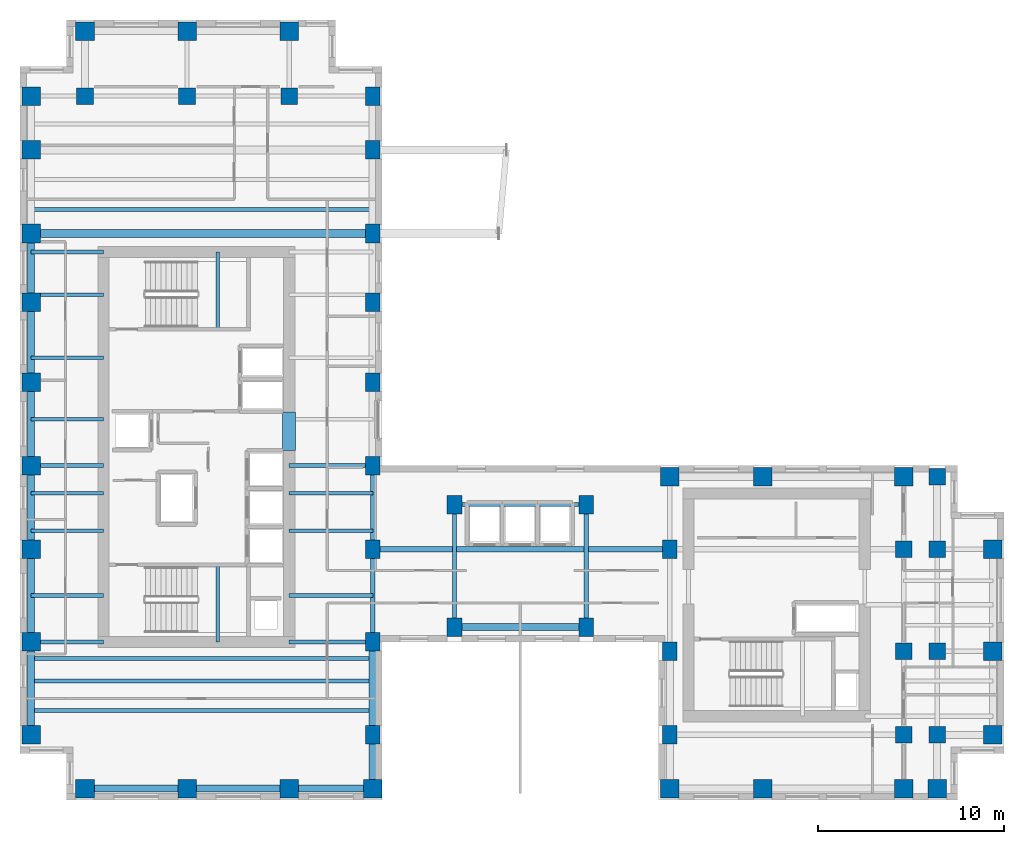
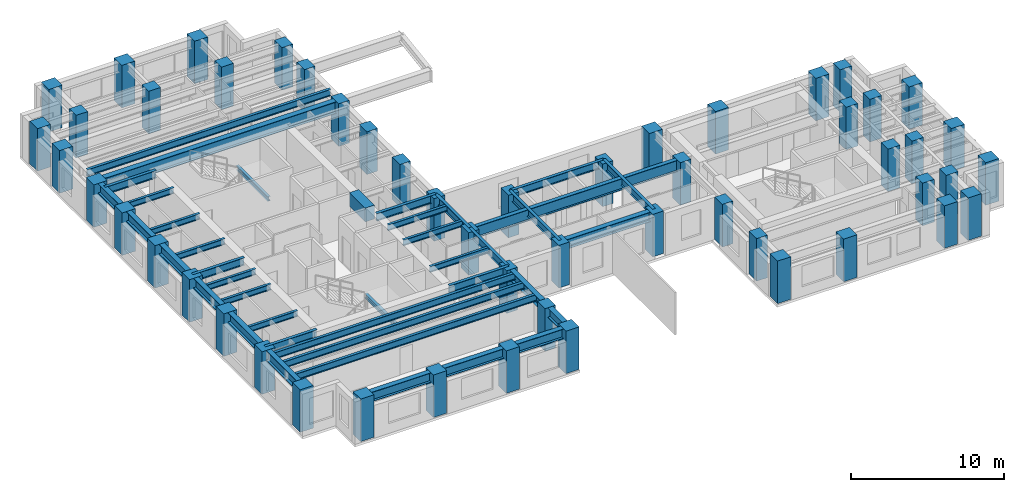
# One storey, part 1 of 13: 52 columns, 40 beams.
"""IFC4 building model written with IfcOpenShell, lengths in metres."""

from ifc_helpers import new_model, si_unit, direction, frame, origin, origin_2d, place, context, subcontext, project, spatial, rectangle, i_section, extrude, source, transform, mapped, material, material_profile, profile_set, type_object, element, save


model = new_model("IFC4")

# Units and contexts
model_context = context("Model", 3, precision=1e-05, world=origin(), true_north=direction((0.0, 1.0)))
body_context = subcontext(model_context, "Body", "Model", "MODEL_VIEW")
ifc_project = project(units=[si_unit("LENGTHUNIT", "METRE"), si_unit("AREAUNIT", "SQUARE_METRE"), si_unit("VOLUMEUNIT", "CUBIC_METRE"), si_unit("PLANEANGLEUNIT", "RADIAN"), si_unit("MASSUNIT", "GRAM", prefix="KILO")], contexts=[model_context])

# Site, building, storey
site_placement = place(None, origin())
site = spatial("IfcSite", under=ifc_project, at=site_placement, CompositionType="ELEMENT")
building_placement = place(site_placement, origin())
building = spatial("IfcBuilding", under=site, at=building_placement, Name="Kharzan Plaza Tower", CompositionType="ELEMENT")
storey_placement = place(building_placement, frame((0.0, 0.0, 197.10009765625)))
storey = spatial("IfcBuildingStorey", under=building, at=storey_placement, Name="L53", CompositionType="ELEMENT", Elevation=197.10009765625)

# Columns
ifc_material_1 = material(Name="Concrete C50/60", Category="concrete")
ifc_material_profile_1 = material_profile(ifc_material_1, rectangle(XDim=0.89990234375, YDim=0.89990234375, at=origin_2d()), Name="RC-IC900x900")
ifc_profile_set_1 = profile_set([ifc_material_profile_1], Name="Concrete C50/60")
column_type_1 = type_object("IfcColumnType", Name="COL-IC900", PredefinedType="COLUMN", material=ifc_profile_set_1)
shared_shape_1 = source(origin(), body_context, "Body", "SweptSolid", [
    extrude(rectangle(XDim=0.89990234375, YDim=0.89990234375, at=origin_2d()), origin(), (0.0, 0.0, 1.0), 3.39990234375),
])
for number, where, z_axis, x_axis, name in (
    (1, (47.60009765625, 13.5, 0.0), (0.0, 0.0, 1.0), (1.0, 0.0, 0.0), "L53 Structural Column TCBI-135"),
    (2, (47.60009765625, 3.5, 0.0), (0.0, 0.0, 1.0), (1.0, 0.0, 0.0), "L53 Structural Column TCBI-35"),
    (3, (47.60009765625, 8.0, 0.0), (0.0, 0.0, 1.0), (1.0, 0.0, 0.0), "L53 Structural Column TCBI-80"),
    (4, (49.39990234375, 13.5, 0.0), (0.0, 0.0, 1.0), (1.0, 0.0, 0.0), "L53 Structural Column TCE-494-135"),
    (5, (49.39990234375, 17.39990234375, 0.0), (0.0, 0.0, 1.0), (1.0, 0.0, 0.0), "L53 Structural Column TCE-494-174"),
    (6, (49.39990234375, 3.5, 0.0), (0.0, 0.0, 1.0), (1.0, 0.0, 0.0), "L53 Structural Column TCE-494-35"),
    (7, (49.39990234375, 8.0, 0.0), (0.0, 0.0, 1.0), (1.0, 0.0, 0.0), "L53 Structural Column TCE-494-80"),
    (8, (14.5, 37.89990234375, 0.0), (0.0, 0.0, 1.0), (1.0, 0.0, 0.0), "L53 Structural Column TCN-145-379"),
    (9, (3.5, 37.89990234375, 0.0), (0.0, 0.0, 1.0), (1.0, 0.0, 0.0), "L53 Structural Column TCN-35-379"),
    (10, (9.0, 37.89990234375, 0.0), (0.0, 0.0, 1.0), (1.0, 0.0, 0.0), "L53 Structural Column TCN-90-379"),
):
    element("IfcColumn", number, at=place(storey_placement, frame(where, z_axis=z_axis, x_axis=x_axis)), inside=storey, type_object=column_type_1, Name=name, PredefinedType="COLUMN", context=body_context, shape_type="MappedRepresentation", body=[
        mapped(shared_shape_1, transform((0.0, 0.0, 0.0), x_axis=(1.0, 0.0, 0.0), y_axis=(0.0, 1.0, 0.0), z_axis=(0.0, 0.0, 1.0))),
    ])
ifc_material_profile_2 = material_profile(ifc_material_1, rectangle(XDim=0.800048828125, YDim=1.0, at=origin_2d()), Name="RC-SC1000x800")
ifc_profile_set_2 = profile_set([ifc_material_profile_2], Name="Concrete C50/60")
column_type_2 = type_object("IfcColumnType", Name="COL-SC1000", PredefinedType="COLUMN", material=ifc_profile_set_2)
shared_shape_2 = source(origin(), body_context, "Body", "SweptSolid", [
    extrude(rectangle(XDim=0.800048828125, YDim=1.0, at=origin_2d()), origin(), (0.0, 0.0, 1.0), 3.39990234375),
])
for number, where, z_axis, x_axis, name in (
    (11, (19.0, 13.5, 0.0), (0.0, 0.0, 1.0), (1.0, 0.0, 0.0), "L53 Structural Column TCA-135"),
    (12, (19.0, 18.0, 0.0), (0.0, 0.0, 1.0), (1.0, 0.0, 0.0), "L53 Structural Column TCA-180"),
    (13, (19.0, 22.5, 0.0), (0.0, 0.0, 1.0), (1.0, 0.0, 0.0), "L53 Structural Column TCA-225"),
    (14, (19.0, 26.800048828125, 0.0), (0.0, 0.0, 1.0), (1.0, 0.0, 0.0), "L53 Structural Column TCA-268"),
    (15, (19.0, 30.5, 0.0), (0.0, 0.0, 1.0), (1.0, 0.0, 0.0), "L53 Structural Column TCA-305"),
    (16, (19.0, 3.5, 0.0), (0.0, 0.0, 1.0), (1.0, 0.0, 0.0), "L53 Structural Column TCA-35"),
    (17, (19.0, 35.0, 0.0), (0.0, 0.0, 1.0), (1.0, 0.0, 0.0), "L53 Structural Column TCA-350"),
    (18, (19.0, 37.89990234375, 0.0), (0.0, 0.0, 1.0), (1.0, 0.0, 0.0), "L53 Structural Column TCA-379"),
    (19, (19.0, 8.5, 0.0), (0.0, 0.0, 1.0), (1.0, 0.0, 0.0), "L53 Structural Column TCA-85"),
    (20, (35.0, 13.5, 0.0), (0.0, 0.0, 1.0), (1.0, 0.0, 0.0), "L53 Structural Column TCBS-135"),
    (21, (35.0, 3.5, 0.0), (0.0, 0.0, 1.0), (1.0, 0.0, 0.0), "L53 Structural Column TCBS-35"),
    (22, (35.0, 8.0, 0.0), (0.0, 0.0, 1.0), (1.0, 0.0, 0.0), "L53 Structural Column TCBS-80"),
    (23, (23.39990234375, 15.89990234375, 0.0), (0.0, 0.0, 1.0), (1.0, 0.0, 0.0), "L53 Structural Column TCSP-234-159"),
    (24, (23.39990234375, 9.300048828125, 0.0), (0.0, 0.0, 1.0), (1.0, 0.0, 0.0), "L53 Structural Column TCSP-234-93"),
    (25, (30.5, 15.89990234375, 0.0), (0.0, 0.0, 1.0), (1.0, 0.0, 0.0), "L53 Structural Column TCSP-305-159"),
    (26, (30.5, 9.300048828125, 0.0), (0.0, 0.0, 1.0), (1.0, 0.0, 0.0), "L53 Structural Column TCSP-305-93"),
):
    element("IfcColumn", number, at=place(storey_placement, frame(where, z_axis=z_axis, x_axis=x_axis)), inside=storey, type_object=column_type_2, Name=name, PredefinedType="COLUMN", context=body_context, shape_type="MappedRepresentation", body=[
        mapped(shared_shape_2, transform((0.0, 0.0, 0.0), x_axis=(1.0, 0.0, 0.0), y_axis=(0.0, 1.0, 0.0), z_axis=(0.0, 0.0, 1.0))),
    ])
ifc_material_profile_3 = material_profile(ifc_material_1, rectangle(XDim=1.0, YDim=1.0, at=origin_2d()), Name="RC-TC1000x1000")
ifc_profile_set_3 = profile_set([ifc_material_profile_3], Name="Concrete C50/60")
column_type_3 = type_object("IfcColumnType", Name="COL-TC1000", PredefinedType="COLUMN", material=ifc_profile_set_3)
shared_shape_3 = source(origin(), body_context, "Body", "SweptSolid", [
    extrude(rectangle(XDim=1.0, YDim=1.0, at=origin_2d()), origin(), (0.0, 0.0, 1.0), 3.39990234375),
])
for number, where, z_axis, x_axis, name in (
    (27, (35.0, 17.39990234375, 0.0), (0.0, 0.0, 1.0), (1.0, 0.0, 0.0), "L53 Structural Column TCBN-350-174"),
    (28, (40.0, 17.39990234375, 0.0), (0.0, 0.0, 1.0), (1.0, 0.0, 0.0), "L53 Structural Column TCBN-400-174"),
    (29, (47.60009765625, 17.39990234375, 0.0), (0.0, 0.0, 1.0), (1.0, 0.0, 0.0), "L53 Structural Column TCBN-476-174"),
    (30, (52.39990234375, 13.5, 0.0), (0.0, 0.0, 1.0), (1.0, 0.0, 0.0), "L53 Structural Column TCE-524-135"),
    (31, (52.39990234375, 3.5, 0.0), (0.0, 0.0, 1.0), (1.0, 0.0, 0.0), "L53 Structural Column TCE-524-35"),
    (32, (52.39990234375, 8.0, 0.0), (0.0, 0.0, 1.0), (1.0, 0.0, 0.0), "L53 Structural Column TCE-524-80"),
    (33, (14.5, 41.39990234375, 0.0), (0.0, 0.0, 1.0), (1.0, 0.0, 0.0), "L53 Structural Column TCN-145-414"),
    (34, (3.5, 41.39990234375, 0.0), (0.0, 0.0, 1.0), (1.0, 0.0, 0.0), "L53 Structural Column TCN-35-414"),
    (35, (9.0, 41.39990234375, 0.0), (0.0, 0.0, 1.0), (1.0, 0.0, 0.0), "L53 Structural Column TCN-90-414"),
    (36, (14.5, 0.60009765625, 0.0), (0.0, 0.0, 1.0), (1.0, 0.0, 0.0), "L53 Structural Column TCS-145"),
    (37, (19.0, 0.60009765625, 0.0), (0.0, 0.0, 1.0), (1.0, 0.0, 0.0), "L53 Structural Column TCS-190"),
    (38, (3.5, 0.60009765625, 0.0), (0.0, 0.0, 1.0), (1.0, 0.0, 0.0), "L53 Structural Column TCS-35"),
    (39, (35.0, 0.60009765625, 0.0), (0.0, 0.0, 1.0), (1.0, 0.0, 0.0), "L53 Structural Column TCS-350"),
    (40, (40.0, 0.60009765625, 0.0), (0.0, 0.0, 1.0), (1.0, 0.0, 0.0), "L53 Structural Column TCS-400"),
    (41, (47.60009765625, 0.60009765625, 0.0), (0.0, 0.0, 1.0), (1.0, 0.0, 0.0), "L53 Structural Column TCS-476"),
    (42, (49.39990234375, 0.60009765625, 0.0), (0.0, 0.0, 1.0), (1.0, 0.0, 0.0), "L53 Structural Column TCS-494"),
    (43, (9.0, 0.60009765625, 0.0), (0.0, 0.0, 1.0), (1.0, 0.0, 0.0), "L53 Structural Column TCS-90"),
    (44, (0.60009765625, 13.5, 0.0), (0.0, 0.0, 1.0), (1.0, 0.0, 0.0), "L53 Structural Column TCW-135"),
    (45, (0.60009765625, 18.0, 0.0), (0.0, 0.0, 1.0), (1.0, 0.0, 0.0), "L53 Structural Column TCW-180"),
    (46, (0.60009765625, 22.5, 0.0), (0.0, 0.0, 1.0), (1.0, 0.0, 0.0), "L53 Structural Column TCW-225"),
    (47, (0.60009765625, 26.800048828125, 0.0), (0.0, 0.0, 1.0), (1.0, 0.0, 0.0), "L53 Structural Column TCW-268"),
    (48, (0.60009765625, 30.5, 0.0), (0.0, 0.0, 1.0), (1.0, 0.0, 0.0), "L53 Structural Column TCW-305"),
    (49, (0.60009765625, 3.5, 0.0), (0.0, 0.0, 1.0), (1.0, 0.0, 0.0), "L53 Structural Column TCW-35"),
    (50, (0.60009765625, 35.0, 0.0), (0.0, 0.0, 1.0), (1.0, 0.0, 0.0), "L53 Structural Column TCW-350"),
    (51, (0.60009765625, 37.89990234375, 0.0), (0.0, 0.0, 1.0), (1.0, 0.0, 0.0), "L53 Structural Column TCW-379"),
    (52, (0.60009765625, 8.5, 0.0), (0.0, 0.0, 1.0), (1.0, 0.0, 0.0), "L53 Structural Column TCW-85"),
):
    element("IfcColumn", number, at=place(storey_placement, frame(where, z_axis=z_axis, x_axis=x_axis)), inside=storey, type_object=column_type_3, Name=name, PredefinedType="COLUMN", context=body_context, shape_type="MappedRepresentation", body=[
        mapped(shared_shape_3, transform((0.0, 0.0, 0.0), x_axis=(1.0, 0.0, 0.0), y_axis=(0.0, 1.0, 0.0), z_axis=(0.0, 0.0, 1.0))),
    ])

# Beams
ifc_material_2 = material(Name="Concrete C60/75", Category="concrete")
ifc_material_profile_4 = material_profile(ifc_material_2, rectangle(XDim=0.699951171875, YDim=1.10009765625, at=origin_2d()), Name="RC-CB1100x700")
ifc_profile_set_4 = profile_set([ifc_material_profile_4], Name="Concrete C60/75")
beam_type_1 = type_object("IfcBeamType", Name="BM-RCCB1100", PredefinedType="LINTEL", material=ifc_profile_set_4)
shared_shape_4 = source(origin(), body_context, "Body", "SweptSolid", [
    extrude(rectangle(XDim=0.699951171875, YDim=1.10009765625, at=origin_2d()), origin(), (0.0, 0.0, 1.0), 2.059814453125),
])
beam_1_placement = place(storey_placement, frame((14.5, 18.820068359375, 2.849853515625), z_axis=(0.0, 1.0, 0.0), x_axis=(-1.0, 0.0, 0.0)))
element("IfcBeam", 53, at=beam_1_placement, inside=storey, type_object=beam_type_1, Name="L53 CORE-A RC coupling beam CB1", PredefinedType="LINTEL", context=body_context, shape_type="MappedRepresentation", body=[
    mapped(shared_shape_4, transform((0.0, 0.0, 0.0), x_axis=(1.0, 0.0, 0.0), y_axis=(0.0, 1.0, 0.0), z_axis=(0.0, 0.0, 1.0))),
])
ifc_material_3 = material(Name="Steel S355", Category="steel")
ifc_material_profile_5 = material_profile(ifc_material_3, i_section(OverallWidth=0.205078125, OverallDepth=0.35400390625, WebThickness=0.009521484375, FlangeThickness=0.016845703125, at=origin_2d()), Name="W360x79")
ifc_profile_set_5 = profile_set([ifc_material_profile_5], Name="Steel S355")
beam_type_2 = type_object("IfcBeamType", Name="BM-LNT360", PredefinedType="LINTEL", material=ifc_profile_set_5)
shared_shape_5 = source(origin(), body_context, "Body", "SweptSolid", [
    extrude(i_section(OverallWidth=0.205078125, OverallDepth=0.35400390625, WebThickness=0.009521484375, FlangeThickness=0.016845703125, at=origin_2d()), origin(), (0.0, 0.0, 1.0), 4.155029296875),
])
for number, where, z_axis, x_axis, name in (
    (54, (10.64990234375, 8.5, 1.4228515625), (0.0, 1.0, 0.0), (-1.0, 0.0, 0.0), "L53 Stair ST-1 Half-Landing Beam"),
    (55, (10.64990234375, 25.344970703125, 1.4228515625), (0.0, 1.0, 0.0), (-1.0, 0.0, 0.0), "L53 Stair ST-2 Half-Landing Beam"),
):
    element("IfcBeam", number, at=place(storey_placement, frame(where, z_axis=z_axis, x_axis=x_axis)), inside=storey, type_object=beam_type_2, Name=name, PredefinedType="LINTEL", context=body_context, shape_type="MappedRepresentation", body=[
        mapped(shared_shape_5, transform((0.0, 0.0, 0.0), x_axis=(1.0, 0.0, 0.0), y_axis=(0.0, 1.0, 0.0), z_axis=(0.0, 0.0, 1.0))),
    ])
ifc_material_profile_6 = material_profile(ifc_material_3, i_section(OverallWidth=0.304931640625, OverallDepth=0.9189453125, WebThickness=0.017333984375, FlangeThickness=0.02783203125, at=origin_2d()), Name="W920x253")
ifc_profile_set_6 = profile_set([ifc_material_profile_6], Name="Steel S355")
beam_type_3 = type_object("IfcBeamType", Name="BM-FG920B", PredefinedType="BEAM", material=ifc_profile_set_6)
shared_shape_6 = source(origin(), body_context, "Body", "SweptSolid", [
    extrude(i_section(OverallWidth=0.304931640625, OverallDepth=0.9189453125, WebThickness=0.017333984375, FlangeThickness=0.02783203125, at=origin_2d()), origin(), (0.0, 0.0, 1.0), 16.0),
])
beam_2_placement = place(storey_placement, frame((19.0, 13.5, 2.9404296875), z_axis=(1.0, 0.0, 0.0), x_axis=(0.0, 1.0, 0.0)))
element("IfcBeam", 56, at=beam_2_placement, inside=storey, type_object=beam_type_3, Name="L53 Primary Floor Girder", PredefinedType="BEAM", context=body_context, shape_type="MappedRepresentation", body=[
    mapped(shared_shape_6, transform((0.0, 0.0, 0.0), x_axis=(1.0, 0.0, 0.0), y_axis=(0.0, 1.0, 0.0), z_axis=(0.0, 0.0, 1.0))),
])
ifc_material_profile_7 = material_profile(ifc_material_3, i_section(OverallWidth=0.2099609375, OverallDepth=0.537109375, WebThickness=0.010986328125, FlangeThickness=0.017333984375, at=origin_2d()), Name="W530x101")
ifc_profile_set_7 = profile_set([ifc_material_profile_7], Name="Steel S355")
beam_type_4 = type_object("IfcBeamType", Name="BM-JST530B", PredefinedType="JOIST", material=ifc_profile_set_7)
shared_shape_7 = source(origin(), body_context, "Body", "SweptSolid", [
    extrude(i_section(OverallWidth=0.2099609375, OverallDepth=0.537109375, WebThickness=0.010986328125, FlangeThickness=0.017333984375, at=origin_2d()), origin(), (0.0, 0.0, 1.0), 18.39990234375),
])
for number, where, z_axis, x_axis, name in (
    (57, (0.60009765625, 4.800048828125, 3.13134765625), (1.0, 0.0, 0.0), (0.0, 1.0, 0.0), "L53 Wing A Composite Joist 01"),
    (58, (0.60009765625, 6.39990234375, 3.13134765625), (1.0, 0.0, 0.0), (0.0, 1.0, 0.0), "L53 Wing A Composite Joist 02"),
    (59, (0.60009765625, 7.60009765625, 3.13134765625), (1.0, 0.0, 0.0), (0.0, 1.0, 0.0), "L53 Wing A Composite Joist 03"),
    (60, (0.60009765625, 31.800048828125, 3.13134765625), (1.0, 0.0, 0.0), (0.0, 1.0, 0.0), "L53 Wing A Composite Joist 04"),
):
    element("IfcBeam", number, at=place(storey_placement, frame(where, z_axis=z_axis, x_axis=x_axis)), inside=storey, type_object=beam_type_4, Name=name, PredefinedType="JOIST", context=body_context, shape_type="MappedRepresentation", body=[
        mapped(shared_shape_7, transform((0.0, 0.0, 0.0), x_axis=(1.0, 0.0, 0.0), y_axis=(0.0, 1.0, 0.0), z_axis=(0.0, 0.0, 1.0))),
    ])
ifc_material_profile_8 = material_profile(ifc_material_3, i_section(OverallWidth=0.194091796875, OverallDepth=0.468994140625, WebThickness=0.011474609375, FlangeThickness=0.0205078125, at=origin_2d()), Name="W460x106")
ifc_profile_set_8 = profile_set([ifc_material_profile_8], Name="Steel S355")
beam_type_5 = type_object("IfcBeamType", Name="BM-JST460", PredefinedType="JOIST", material=ifc_profile_set_8)
shared_shape_8 = source(origin(), body_context, "Body", "SweptSolid", [
    extrude(i_section(OverallWidth=0.194091796875, OverallDepth=0.468994140625, WebThickness=0.011474609375, FlangeThickness=0.0205078125, at=origin_2d()), origin(), (0.0, 0.0, 1.0), 4.5),
])
for number, where, z_axis, x_axis, name in (
    (61, (14.5, 11.0, 3.165283203125), (1.0, 0.0, 0.0), (0.0, 1.0, 0.0), "L53 Wing A East Infill Joist 1"),
    (62, (14.5, 14.5, 3.165283203125), (1.0, 0.0, 0.0), (0.0, 1.0, 0.0), "L53 Wing A East Infill Joist 2"),
    (63, (14.5, 16.5, 3.165283203125), (1.0, 0.0, 0.0), (0.0, 1.0, 0.0), "L53 Wing A East Infill Joist 3"),
):
    element("IfcBeam", number, at=place(storey_placement, frame(where, z_axis=z_axis, x_axis=x_axis)), inside=storey, type_object=beam_type_5, Name=name, PredefinedType="JOIST", context=body_context, shape_type="MappedRepresentation", body=[
        mapped(shared_shape_8, transform((0.0, 0.0, 0.0), x_axis=(1.0, 0.0, 0.0), y_axis=(0.0, 1.0, 0.0), z_axis=(0.0, 0.0, 1.0))),
    ])
shared_shape_9 = source(origin(), body_context, "Body", "SweptSolid", [
    extrude(i_section(OverallWidth=0.194091796875, OverallDepth=0.468994140625, WebThickness=0.011474609375, FlangeThickness=0.0205078125, at=origin_2d()), origin(), (0.0, 0.0, 1.0), 3.89990234375),
])
for number, where, z_axis, x_axis, name in (
    (64, (0.60009765625, 11.0, 3.165283203125), (1.0, 0.0, 0.0), (0.0, 1.0, 0.0), "L53 Wing A West Infill Joist 1"),
    (65, (0.60009765625, 14.5, 3.165283203125), (1.0, 0.0, 0.0), (0.0, 1.0, 0.0), "L53 Wing A West Infill Joist 2"),
    (66, (0.60009765625, 16.5, 3.165283203125), (1.0, 0.0, 0.0), (0.0, 1.0, 0.0), "L53 Wing A West Infill Joist 3"),
    (67, (0.60009765625, 20.5, 3.165283203125), (1.0, 0.0, 0.0), (0.0, 1.0, 0.0), "L53 Wing A West Infill Joist 4"),
    (68, (0.60009765625, 23.800048828125, 3.165283203125), (1.0, 0.0, 0.0), (0.0, 1.0, 0.0), "L53 Wing A West Infill Joist 5"),
    (69, (0.60009765625, 27.199951171875, 3.165283203125), (1.0, 0.0, 0.0), (0.0, 1.0, 0.0), "L53 Wing A West Infill Joist 6"),
):
    element("IfcBeam", number, at=place(storey_placement, frame(where, z_axis=z_axis, x_axis=x_axis)), inside=storey, type_object=beam_type_5, Name=name, PredefinedType="JOIST", context=body_context, shape_type="MappedRepresentation", body=[
        mapped(shared_shape_9, transform((0.0, 0.0, 0.0), x_axis=(1.0, 0.0, 0.0), y_axis=(0.0, 1.0, 0.0), z_axis=(0.0, 0.0, 1.0))),
    ])
ifc_material_profile_9 = material_profile(ifc_material_3, i_section(OverallWidth=0.41796875, OverallDepth=0.93701171875, WebThickness=0.019287109375, FlangeThickness=0.031982421875, at=origin_2d()), Name="W920x342")
ifc_profile_set_9 = profile_set([ifc_material_profile_9], Name="Steel S355")
beam_type_6 = type_object("IfcBeamType", Name="BM-ZTB920", PredefinedType="BEAM", material=ifc_profile_set_9)
shared_shape_10 = source(origin(), body_context, "Body", "SweptSolid", [
    extrude(i_section(OverallWidth=0.41796875, OverallDepth=0.93701171875, WebThickness=0.019287109375, FlangeThickness=0.031982421875, at=origin_2d()), origin(), (0.0, 0.0, 1.0), 18.39990234375),
])
beam_3_placement = place(storey_placement, frame((0.60009765625, 30.5, 2.931396484375), z_axis=(1.0, 0.0, 0.0), x_axis=(0.0, 1.0, 0.0)))
element("IfcBeam", 70, at=beam_3_placement, inside=storey, type_object=beam_type_6, Name="L53 Sky-Terrace Back-Span Girder ZTB1 (L54 G1)", PredefinedType="BEAM", context=body_context, shape_type="MappedRepresentation", body=[
    mapped(shared_shape_10, transform((0.0, 0.0, 0.0), x_axis=(1.0, 0.0, 0.0), y_axis=(0.0, 1.0, 0.0), z_axis=(0.0, 0.0, 1.0))),
])
ifc_material_profile_10 = material_profile(ifc_material_3, i_section(OverallWidth=0.22900390625, OverallDepth=0.612060546875, WebThickness=0.011962890625, FlangeThickness=0.01953125, at=origin_2d()), Name="W610x125")
ifc_profile_set_10 = profile_set([ifc_material_profile_10], Name="Steel S355")
beam_type_7 = type_object("IfcBeamType", Name="BM-FG610B", PredefinedType="BEAM", material=ifc_profile_set_10)
shared_shape_11 = source(origin(), body_context, "Body", "SweptSolid", [
    extrude(i_section(OverallWidth=0.22900390625, OverallDepth=0.612060546875, WebThickness=0.011962890625, FlangeThickness=0.01953125, at=origin_2d()), origin(), (0.0, 0.0, 1.0), 4.5),
])
for number, where, z_axis, x_axis, name in (
    (71, (14.5, 8.5, 3.093994140625), (1.0, 0.0, 0.0), (0.0, 1.0, 0.0), "L53 Core-A East Floor Girder 1"),
    (72, (14.5, 18.0, 3.093994140625), (1.0, 0.0, 0.0), (0.0, 1.0, 0.0), "L53 Core-A East Floor Girder 2"),
    (73, (19.0, 13.5, 3.093994140625), (0.0, 1.0, 0.0), (-1.0, 0.0, 0.0), "L53 Interior Frame Girder"),
):
    element("IfcBeam", number, at=place(storey_placement, frame(where, z_axis=z_axis, x_axis=x_axis)), inside=storey, type_object=beam_type_7, Name=name, PredefinedType="BEAM", context=body_context, shape_type="MappedRepresentation", body=[
        mapped(shared_shape_11, transform((0.0, 0.0, 0.0), x_axis=(1.0, 0.0, 0.0), y_axis=(0.0, 1.0, 0.0), z_axis=(0.0, 0.0, 1.0))),
    ])
shared_shape_12 = source(origin(), body_context, "Body", "SweptSolid", [
    extrude(i_section(OverallWidth=0.22900390625, OverallDepth=0.612060546875, WebThickness=0.011962890625, FlangeThickness=0.01953125, at=origin_2d()), origin(), (0.0, 0.0, 1.0), 3.89990234375),
])
for number, where, z_axis, x_axis, name in (
    (74, (0.60009765625, 8.5, 3.093994140625), (1.0, 0.0, 0.0), (0.0, 1.0, 0.0), "L53 Core-A West Floor Girder 1"),
    (75, (0.60009765625, 18.0, 3.093994140625), (1.0, 0.0, 0.0), (0.0, 1.0, 0.0), "L53 Core-A West Floor Girder 2"),
    (76, (0.60009765625, 29.5, 3.093994140625), (1.0, 0.0, 0.0), (0.0, 1.0, 0.0), "L53 Core-A West Floor Girder 3"),
):
    element("IfcBeam", number, at=place(storey_placement, frame(where, z_axis=z_axis, x_axis=x_axis)), inside=storey, type_object=beam_type_7, Name=name, PredefinedType="BEAM", context=body_context, shape_type="MappedRepresentation", body=[
        mapped(shared_shape_12, transform((0.0, 0.0, 0.0), x_axis=(1.0, 0.0, 0.0), y_axis=(0.0, 1.0, 0.0), z_axis=(0.0, 0.0, 1.0))),
    ])
shared_shape_13 = source(origin(), body_context, "Body", "SweptSolid", [
    extrude(i_section(OverallWidth=0.22900390625, OverallDepth=0.612060546875, WebThickness=0.011962890625, FlangeThickness=0.01953125, at=origin_2d()), origin(), (0.0, 0.0, 1.0), 5.0),
])
beam_4_placement = place(storey_placement, frame((19.0, 8.5, 3.093994140625), z_axis=(0.0, 1.0, 0.0), x_axis=(-1.0, 0.0, 0.0)))
element("IfcBeam", 77, at=beam_4_placement, inside=storey, type_object=beam_type_7, Name="L53 Interior Frame Girder", PredefinedType="BEAM", context=body_context, shape_type="MappedRepresentation", body=[
    mapped(shared_shape_13, transform((0.0, 0.0, 0.0), x_axis=(1.0, 0.0, 0.0), y_axis=(0.0, 1.0, 0.0), z_axis=(0.0, 0.0, 1.0))),
])
shared_shape_14 = source(origin(), body_context, "Body", "SweptSolid", [
    extrude(i_section(OverallWidth=0.22900390625, OverallDepth=0.612060546875, WebThickness=0.011962890625, FlangeThickness=0.01953125, at=origin_2d()), origin(), (0.0, 0.0, 1.0), 6.599853515625),
])
for number, where, z_axis, x_axis, name in (
    (78, (23.39990234375, 9.300048828125, 3.093994140625), (0.0, 1.0, 0.0), (-1.0, 0.0, 0.0), "L53 Interior Frame Girder"),
    (79, (30.5, 9.300048828125, 3.093994140625), (0.0, 1.0, 0.0), (-1.0, 0.0, 0.0), "L53 Interior Frame Girder"),
):
    element("IfcBeam", number, at=place(storey_placement, frame(where, z_axis=z_axis, x_axis=x_axis)), inside=storey, type_object=beam_type_7, Name=name, PredefinedType="BEAM", context=body_context, shape_type="MappedRepresentation", body=[
        mapped(shared_shape_14, transform((0.0, 0.0, 0.0), x_axis=(1.0, 0.0, 0.0), y_axis=(0.0, 1.0, 0.0), z_axis=(0.0, 0.0, 1.0))),
    ])
shared_shape_15 = source(origin(), body_context, "Body", "SweptSolid", [
    extrude(i_section(OverallWidth=0.22900390625, OverallDepth=0.612060546875, WebThickness=0.011962890625, FlangeThickness=0.01953125, at=origin_2d()), origin(), (0.0, 0.0, 1.0), 7.10009765625),
])
beam_5_placement = place(storey_placement, frame((23.39990234375, 15.89990234375, 3.093994140625), z_axis=(1.0, 0.0, 0.0), x_axis=(0.0, 1.0, 0.0)))
element("IfcBeam", 80, at=beam_5_placement, inside=storey, type_object=beam_type_7, Name="L53 Primary Floor Girder", PredefinedType="BEAM", context=body_context, shape_type="MappedRepresentation", body=[
    mapped(shared_shape_15, transform((0.0, 0.0, 0.0), x_axis=(1.0, 0.0, 0.0), y_axis=(0.0, 1.0, 0.0), z_axis=(0.0, 0.0, 1.0))),
])
ifc_material_profile_11 = material_profile(ifc_material_3, i_section(OverallWidth=0.381103515625, OverallDepth=0.77294921875, WebThickness=0.0166015625, FlangeThickness=0.027587890625, at=origin_2d()), Name="W760x257")
ifc_profile_set_11 = profile_set([ifc_material_profile_11], Name="Steel S355")
beam_type_8 = type_object("IfcBeamType", Name="BM-SP760A", PredefinedType="SPANDREL", material=ifc_profile_set_11)
shared_shape_16 = source(origin(), body_context, "Body", "SweptSolid", [
    extrude(i_section(OverallWidth=0.381103515625, OverallDepth=0.77294921875, WebThickness=0.0166015625, FlangeThickness=0.027587890625, at=origin_2d()), origin(), (0.0, 0.0, 1.0), 5.0),
])
for number, where, z_axis, x_axis, name in (
    (81, (0.60009765625, 3.5, 3.013427734375), (0.0, 1.0, 0.0), (-1.0, 0.0, 0.0), "L53 Perimeter Tube Spandrel"),
    (82, (0.60009765625, 8.5, 3.013427734375), (0.0, 1.0, 0.0), (-1.0, 0.0, 0.0), "L53 Perimeter Tube Spandrel"),
    (83, (19.0, 3.5, 3.013427734375), (0.0, 1.0, 0.0), (-1.0, 0.0, 0.0), "L53 Perimeter Tube Spandrel"),
):
    element("IfcBeam", number, at=place(storey_placement, frame(where, z_axis=z_axis, x_axis=x_axis)), inside=storey, type_object=beam_type_8, Name=name, PredefinedType="SPANDREL", context=body_context, shape_type="MappedRepresentation", body=[
        mapped(shared_shape_16, transform((0.0, 0.0, 0.0), x_axis=(1.0, 0.0, 0.0), y_axis=(0.0, 1.0, 0.0), z_axis=(0.0, 0.0, 1.0))),
    ])
shared_shape_17 = source(origin(), body_context, "Body", "SweptSolid", [
    extrude(i_section(OverallWidth=0.381103515625, OverallDepth=0.77294921875, WebThickness=0.0166015625, FlangeThickness=0.027587890625, at=origin_2d()), origin(), (0.0, 0.0, 1.0), 4.5),
])
for number, where, z_axis, x_axis, name in (
    (84, (0.60009765625, 13.5, 3.013427734375), (0.0, 1.0, 0.0), (-1.0, 0.0, 0.0), "L53 Perimeter Tube Spandrel"),
    (85, (0.60009765625, 18.0, 3.013427734375), (0.0, 1.0, 0.0), (-1.0, 0.0, 0.0), "L53 Perimeter Tube Spandrel"),
    (86, (14.5, 0.60009765625, 3.013427734375), (1.0, 0.0, 0.0), (0.0, 1.0, 0.0), "L53 Perimeter Tube Spandrel"),
):
    element("IfcBeam", number, at=place(storey_placement, frame(where, z_axis=z_axis, x_axis=x_axis)), inside=storey, type_object=beam_type_8, Name=name, PredefinedType="SPANDREL", context=body_context, shape_type="MappedRepresentation", body=[
        mapped(shared_shape_17, transform((0.0, 0.0, 0.0), x_axis=(1.0, 0.0, 0.0), y_axis=(0.0, 1.0, 0.0), z_axis=(0.0, 0.0, 1.0))),
    ])
shared_shape_18 = source(origin(), body_context, "Body", "SweptSolid", [
    extrude(i_section(OverallWidth=0.381103515625, OverallDepth=0.77294921875, WebThickness=0.0166015625, FlangeThickness=0.027587890625, at=origin_2d()), origin(), (0.0, 0.0, 1.0), 4.300048828125),
])
beam_6_placement = place(storey_placement, frame((0.60009765625, 22.5, 3.013427734375), z_axis=(0.0, 1.0, 0.0), x_axis=(-1.0, 0.0, 0.0)))
element("IfcBeam", 87, at=beam_6_placement, inside=storey, type_object=beam_type_8, Name="L53 Perimeter Tube Spandrel", PredefinedType="SPANDREL", context=body_context, shape_type="MappedRepresentation", body=[
    mapped(shared_shape_18, transform((0.0, 0.0, 0.0), x_axis=(1.0, 0.0, 0.0), y_axis=(0.0, 1.0, 0.0), z_axis=(0.0, 0.0, 1.0))),
])
shared_shape_19 = source(origin(), body_context, "Body", "SweptSolid", [
    extrude(i_section(OverallWidth=0.381103515625, OverallDepth=0.77294921875, WebThickness=0.0166015625, FlangeThickness=0.027587890625, at=origin_2d()), origin(), (0.0, 0.0, 1.0), 3.699951171875),
])
beam_7_placement = place(storey_placement, frame((0.60009765625, 26.800048828125, 3.013427734375), z_axis=(0.0, 1.0, 0.0), x_axis=(-1.0, 0.0, 0.0)))
element("IfcBeam", 88, at=beam_7_placement, inside=storey, type_object=beam_type_8, Name="L53 Perimeter Tube Spandrel", PredefinedType="SPANDREL", context=body_context, shape_type="MappedRepresentation", body=[
    mapped(shared_shape_19, transform((0.0, 0.0, 0.0), x_axis=(1.0, 0.0, 0.0), y_axis=(0.0, 1.0, 0.0), z_axis=(0.0, 0.0, 1.0))),
])
shared_shape_20 = source(origin(), body_context, "Body", "SweptSolid", [
    extrude(i_section(OverallWidth=0.381103515625, OverallDepth=0.77294921875, WebThickness=0.0166015625, FlangeThickness=0.027587890625, at=origin_2d()), origin(), (0.0, 0.0, 1.0), 2.89990234375),
])
beam_8_placement = place(storey_placement, frame((19.0, 0.60009765625, 3.013427734375), z_axis=(0.0, 1.0, 0.0), x_axis=(-1.0, 0.0, 0.0)))
element("IfcBeam", 89, at=beam_8_placement, inside=storey, type_object=beam_type_8, Name="L53 Perimeter Tube Spandrel", PredefinedType="SPANDREL", context=body_context, shape_type="MappedRepresentation", body=[
    mapped(shared_shape_20, transform((0.0, 0.0, 0.0), x_axis=(1.0, 0.0, 0.0), y_axis=(0.0, 1.0, 0.0), z_axis=(0.0, 0.0, 1.0))),
])
shared_shape_21 = source(origin(), body_context, "Body", "SweptSolid", [
    extrude(i_section(OverallWidth=0.381103515625, OverallDepth=0.77294921875, WebThickness=0.0166015625, FlangeThickness=0.027587890625, at=origin_2d()), origin(), (0.0, 0.0, 1.0), 5.5),
])
for number, where, z_axis, x_axis, name in (
    (90, (3.5, 0.60009765625, 3.013427734375), (1.0, 0.0, 0.0), (0.0, 1.0, 0.0), "L53 Perimeter Tube Spandrel"),
    (91, (9.0, 0.60009765625, 3.013427734375), (1.0, 0.0, 0.0), (0.0, 1.0, 0.0), "L53 Perimeter Tube Spandrel"),
):
    element("IfcBeam", number, at=place(storey_placement, frame(where, z_axis=z_axis, x_axis=x_axis)), inside=storey, type_object=beam_type_8, Name=name, PredefinedType="SPANDREL", context=body_context, shape_type="MappedRepresentation", body=[
        mapped(shared_shape_21, transform((0.0, 0.0, 0.0), x_axis=(1.0, 0.0, 0.0), y_axis=(0.0, 1.0, 0.0), z_axis=(0.0, 0.0, 1.0))),
    ])
shared_shape_22 = source(origin(), body_context, "Body", "SweptSolid", [
    extrude(i_section(OverallWidth=0.381103515625, OverallDepth=0.77294921875, WebThickness=0.0166015625, FlangeThickness=0.027587890625, at=origin_2d()), origin(), (0.0, 0.0, 1.0), 7.10009765625),
])
beam_9_placement = place(storey_placement, frame((23.39990234375, 9.300048828125, 3.013427734375), z_axis=(1.0, 0.0, 0.0), x_axis=(0.0, 1.0, 0.0)))
element("IfcBeam", 92, at=beam_9_placement, inside=storey, type_object=beam_type_8, Name="L53 Perimeter Tube Spandrel", PredefinedType="SPANDREL", context=body_context, shape_type="MappedRepresentation", body=[
    mapped(shared_shape_22, transform((0.0, 0.0, 0.0), x_axis=(1.0, 0.0, 0.0), y_axis=(0.0, 1.0, 0.0), z_axis=(0.0, 0.0, 1.0))),
])

save(model, "model.ifc")
